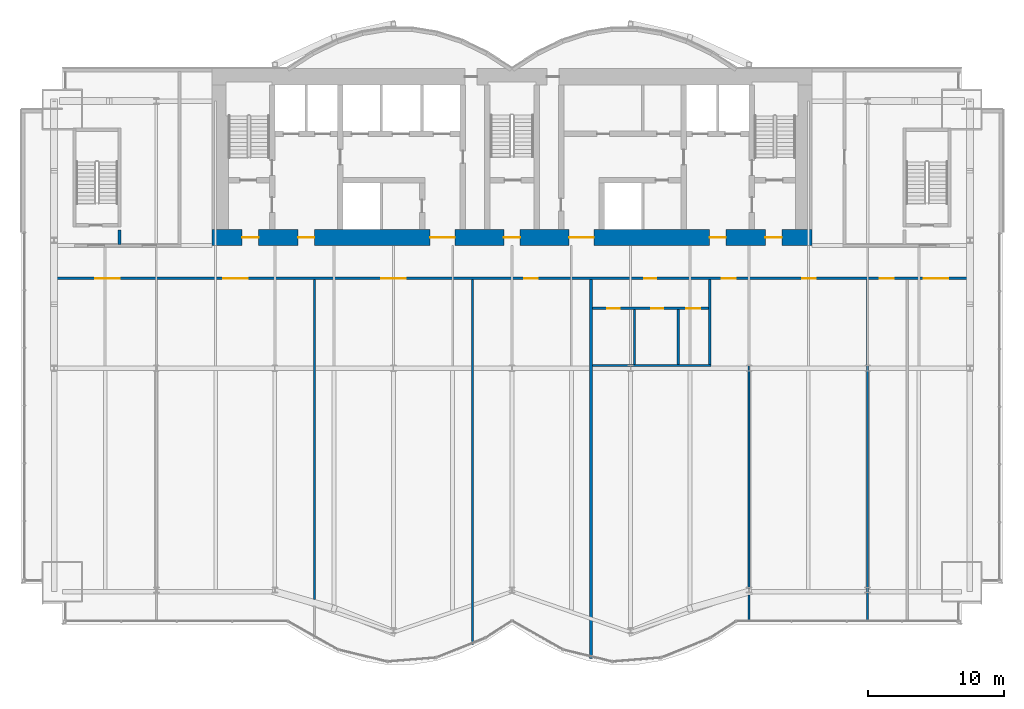
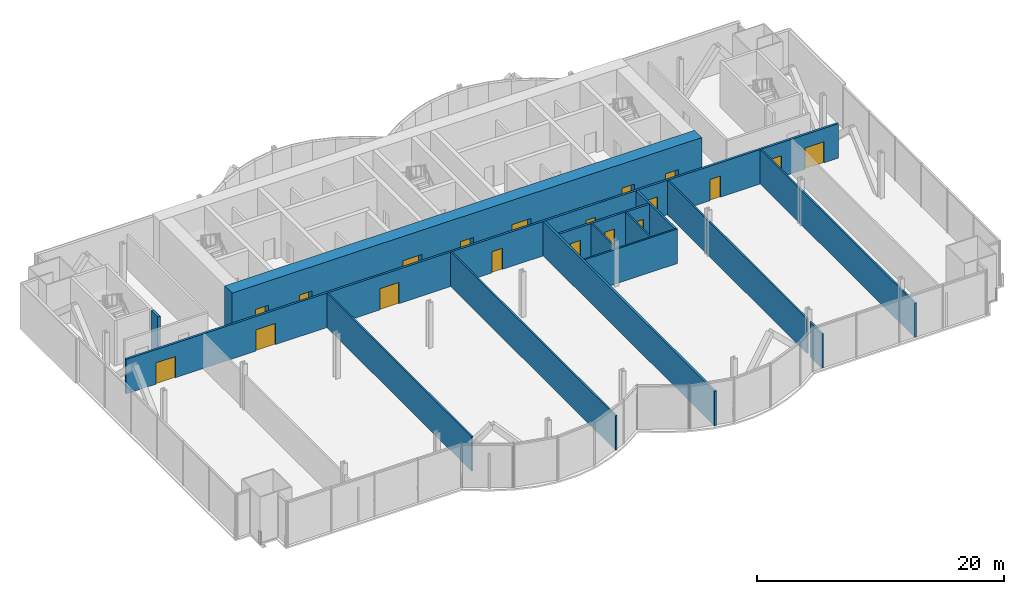
# One storey, part 15 of 21: 19 doors, 14 walls, 19 openings.
"""IFC4 building model written with IfcOpenShell, lengths in metres."""

from ifc_helpers import new_model, si_unit, direction, frame, frame_2d, origin, place, context, subcontext, project, spatial, rectangle, extrude, material, layer, layer_set, type_object, element, fill, save


model = new_model("IFC4")

# Units and contexts
model_context = context("Model", 3, precision=1e-05, world=origin(), true_north=direction((0.0, 1.0)))
body_context = subcontext(model_context, "Body", "Model", "MODEL_VIEW")
ifc_project = project(units=[si_unit("LENGTHUNIT", "METRE"), si_unit("AREAUNIT", "SQUARE_METRE"), si_unit("VOLUMEUNIT", "CUBIC_METRE"), si_unit("PLANEANGLEUNIT", "RADIAN"), si_unit("MASSUNIT", "GRAM", prefix="KILO")], contexts=[model_context])

# Site, building, storey
site_placement = place(None, origin())
site = spatial("IfcSite", under=ifc_project, at=site_placement, CompositionType="ELEMENT")
building_placement = place(site_placement, origin())
building = spatial("IfcBuilding", under=site, at=building_placement, Name="Bicima Exchange Tower", CompositionType="ELEMENT")
storey_placement = place(building_placement, frame((0.0, 0.0, 57.5)))
storey = spatial("IfcBuildingStorey", under=building, at=storey_placement, Name="L11", CompositionType="ELEMENT", Elevation=57.5)

# Wall, openings, doors
ifc_material_1 = material(Name="Gypsum board partition")
ifc_layer_1 = layer(ifc_material_1, 0.199951171875)
ifc_layer_set_1 = layer_set([ifc_layer_1], Name="Gypsum board partition")
wall_type_1 = type_object("IfcWallType", Name="Fire-rated gypsum partition 200 EI60", PredefinedType="PARTITIONING", material=ifc_layer_set_1)
wall_1_placement = place(storey_placement, frame((5.89990234375, -17.60009765625, 0.0), z_axis=(0.0, 0.0, 1.0), x_axis=(1.0, 0.0, 0.0)))
wall_1 = element("IfcWall", 1, at=wall_1_placement, inside=storey, type_object=wall_type_1, Name="partition wall 2", PredefinedType="PARTITIONING", context=body_context, shape_type="SweptSolid", body=[
    extrude(rectangle(XDim=8.5, YDim=0.199951171875, at=frame_2d((4.25, 0.0))), origin(), (0.0, 0.0, 1.0), 3.418212890625),
])
opening_1_placement = place(wall_1_placement, frame((1.10009765625, 0.0, 0.0)))
opening_1 = element("IfcOpeningElement", 2, at=opening_1_placement, cuts=wall_1, Name="Opening L11-012", PredefinedType="OPENING", context=body_context, shape_type="SweptSolid", body=[
    extrude(rectangle(XDim=0.89990234375, YDim=2.10009765625, at=frame_2d((0.449951171875, 1.050048828125))), frame((0.0, 0.11181640625, 0.0), z_axis=(0.0, -1.0, 0.0), x_axis=(1.0, 0.0, 0.0)), (0.0, 0.0, 1.0), 0.223876953125),
])
opening_2_placement = place(wall_1_placement, frame((4.300048828125, 0.0, 0.0)))
opening_2 = element("IfcOpeningElement", 3, at=opening_2_placement, cuts=wall_1, Name="Opening L11-013", PredefinedType="OPENING", context=body_context, shape_type="SweptSolid", body=[
    extrude(rectangle(XDim=0.89990234375, YDim=2.10009765625, at=frame_2d((0.449951171875, 1.050048828125))), frame((0.0, 0.11181640625, 0.0), z_axis=(0.0, -1.0, 0.0), x_axis=(1.0, 0.0, 0.0)), (0.0, 0.0, 1.0), 0.223876953125),
])
opening_3_placement = place(wall_1_placement, frame((6.89990234375, 0.0, 0.0)))
opening_3 = element("IfcOpeningElement", 4, at=opening_3_placement, cuts=wall_1, Name="Opening L11-014", PredefinedType="OPENING", context=body_context, shape_type="SweptSolid", body=[
    extrude(rectangle(XDim=1.0, YDim=2.10009765625, at=frame_2d((0.5, 1.050048828125))), frame((0.0, 0.11181640625, 0.0), z_axis=(0.0, -1.0, 0.0), x_axis=(1.0, 0.0, 0.0)), (0.0, 0.0, 1.0), 0.223876953125),
])
ifc_material_2 = material(Name="Steel fire door leaf", Category="steel")
door_type_1 = type_object("IfcDoorType", Name="Door 1000 swing FD30S", OperationType="SINGLE_SWING_LEFT", PredefinedType="DOOR", material=ifc_material_2)
door_1_placement = place(opening_3_placement, frame((1.0, 0.0, 0.0), z_axis=(0.0, 0.0, 1.0), x_axis=(-1.0, 0.0, 0.0)))
door_1 = element("IfcDoor", 5, at=door_1_placement, inside=storey, type_object=door_type_1, Name="Door", OperationType="SINGLE_SWING_RIGHT", OverallHeight=2.10009765625, OverallWidth=1.0, PredefinedType="DOOR", context=body_context, shape_type="SweptSolid", body=[
    extrude(rectangle(XDim=1.0, YDim=2.10009765625, at=frame_2d((0.5, 1.050048828125))), frame((0.0, 0.02490234375, 0.0), z_axis=(0.0, -1.0, 0.0), x_axis=(1.0, 0.0, 0.0)), (0.0, 0.0, 1.0), 0.050048828125),
])
fill(opening_3, door_1)
door_type_2 = type_object("IfcDoorType", Name="Door 900 swing FD30S", OperationType="SINGLE_SWING_LEFT", PredefinedType="DOOR", material=ifc_material_2)
door_2_placement = place(opening_1_placement, frame((0.89990234375, 0.0, 0.0), z_axis=(0.0, 0.0, 1.0), x_axis=(-1.0, 0.0, 0.0)))
door_2 = element("IfcDoor", 6, at=door_2_placement, inside=storey, type_object=door_type_2, Name="Door", OperationType="SINGLE_SWING_RIGHT", OverallHeight=2.10009765625, OverallWidth=0.89990234375, PredefinedType="DOOR", context=body_context, shape_type="SweptSolid", body=[
    extrude(rectangle(XDim=0.89990234375, YDim=2.10009765625, at=frame_2d((0.449951171875, 1.050048828125))), frame((0.0, 0.02490234375, 0.0), z_axis=(0.0, -1.0, 0.0), x_axis=(1.0, 0.0, 0.0)), (0.0, 0.0, 1.0), 0.050048828125),
])
fill(opening_1, door_2)
door_3_placement = place(opening_2_placement, frame((0.89990234375, 0.0, 0.0), z_axis=(0.0, 0.0, 1.0), x_axis=(-1.0, 0.0, 0.0)))
door_3 = element("IfcDoor", 7, at=door_3_placement, inside=storey, type_object=door_type_2, Name="Door", OperationType="SINGLE_SWING_LEFT", OverallHeight=2.10009765625, OverallWidth=0.89990234375, PredefinedType="DOOR", context=body_context, shape_type="SweptSolid", body=[
    extrude(rectangle(XDim=0.89990234375, YDim=2.10009765625, at=frame_2d((0.449951171875, 1.050048828125))), frame((0.0, 0.02490234375, 0.0), z_axis=(0.0, -1.0, 0.0), x_axis=(1.0, 0.0, 0.0)), (0.0, 0.0, 1.0), 0.050048828125),
])
fill(opening_2, door_3)

wall_2_placement = place(storey_placement, frame((-33.3701171875, -15.39990234375, 0.0), z_axis=(0.0, 0.0, 1.0), x_axis=(1.0, 0.0, 0.0)))
wall_2 = element("IfcWall", 8, at=wall_2_placement, inside=storey, type_object=wall_type_1, Name="partition wall 3", PredefinedType="PARTITIONING", context=body_context, shape_type="SweptSolid", body=[
    extrude(rectangle(XDim=66.740234375, YDim=0.199951171875, at=frame_2d((33.3701171875, 0.0))), origin(), (0.0, 0.0, 1.0), 3.418212890625),
])
opening_4_placement = place(wall_2_placement, frame((2.800048828125, 0.0, 0.0)))
opening_4 = element("IfcOpeningElement", 9, at=opening_4_placement, cuts=wall_2, Name="Opening L11-007", PredefinedType="OPENING", context=body_context, shape_type="SweptSolid", body=[
    extrude(rectangle(XDim=1.800048828125, YDim=2.10009765625, at=frame_2d((0.89990234375, 1.050048828125))), frame((0.0, 0.11181640625, 0.0), z_axis=(0.0, -1.0, 0.0), x_axis=(1.0, 0.0, 0.0)), (0.0, 0.0, 1.0), 0.223876953125),
])
opening_5_placement = place(wall_2_placement, frame((12.169921875, 0.0, 0.0)))
opening_5 = element("IfcOpeningElement", 10, at=opening_5_placement, cuts=wall_2, Name="Opening L11-008", PredefinedType="OPENING", context=body_context, shape_type="SweptSolid", body=[
    extrude(rectangle(XDim=1.800048828125, YDim=2.10009765625, at=frame_2d((0.89990234375, 1.050048828125))), frame((0.0, 0.11181640625, 0.0), z_axis=(0.0, -1.0, 0.0), x_axis=(1.0, 0.0, 0.0)), (0.0, 0.0, 1.0), 0.223876953125),
])
opening_6_placement = place(wall_2_placement, frame((23.77001953125, 0.0, 0.0)))
opening_6 = element("IfcOpeningElement", 11, at=opening_6_placement, cuts=wall_2, Name="Opening L11-009", PredefinedType="OPENING", context=body_context, shape_type="SweptSolid", body=[
    extrude(rectangle(XDim=1.800048828125, YDim=2.10009765625, at=frame_2d((0.89990234375, 1.050048828125))), frame((0.0, 0.11181640625, 0.0), z_axis=(0.0, -1.0, 0.0), x_axis=(1.0, 0.0, 0.0)), (0.0, 0.0, 1.0), 0.223876953125),
])
opening_7_placement = place(wall_2_placement, frame((34.27001953125, 0.0, 0.0)))
opening_7 = element("IfcOpeningElement", 12, at=opening_7_placement, cuts=wall_2, Name="Opening L11-010", PredefinedType="OPENING", context=body_context, shape_type="SweptSolid", body=[
    extrude(rectangle(XDim=1.0, YDim=2.10009765625, at=frame_2d((0.5, 1.050048828125))), frame((0.0, 0.11181640625, 0.0), z_axis=(0.0, -1.0, 0.0), x_axis=(1.0, 0.0, 0.0)), (0.0, 0.0, 1.0), 0.223876953125),
])
opening_8_placement = place(wall_2_placement, frame((43.070068359375, 0.0, 0.0)))
opening_8 = element("IfcOpeningElement", 13, at=opening_8_placement, cuts=wall_2, Name="Opening L11-011", PredefinedType="OPENING", context=body_context, shape_type="SweptSolid", body=[
    extrude(rectangle(XDim=0.89990234375, YDim=2.10009765625, at=frame_2d((0.449951171875, 1.050048828125))), frame((0.0, 0.11181640625, 0.0), z_axis=(0.0, -1.0, 0.0), x_axis=(1.0, 0.0, 0.0)), (0.0, 0.0, 1.0), 0.223876953125),
])
opening_9_placement = place(wall_2_placement, frame((48.77001953125, 0.0, 0.0)))
opening_9 = element("IfcOpeningElement", 14, at=opening_9_placement, cuts=wall_2, Name="Opening L11-015", PredefinedType="OPENING", context=body_context, shape_type="SweptSolid", body=[
    extrude(rectangle(XDim=1.0, YDim=2.10009765625, at=frame_2d((0.5, 1.050048828125))), frame((0.0, 0.11181640625, 0.0), z_axis=(0.0, -1.0, 0.0), x_axis=(1.0, 0.0, 0.0)), (0.0, 0.0, 1.0), 0.223876953125),
])
opening_10_placement = place(wall_2_placement, frame((54.669921875, 0.0, 0.0)))
opening_10 = element("IfcOpeningElement", 15, at=opening_10_placement, cuts=wall_2, Name="Opening L11-016", PredefinedType="OPENING", context=body_context, shape_type="SweptSolid", body=[
    extrude(rectangle(XDim=1.0, YDim=2.10009765625, at=frame_2d((0.5, 1.050048828125))), frame((0.0, 0.11181640625, 0.0), z_axis=(0.0, -1.0, 0.0), x_axis=(1.0, 0.0, 0.0)), (0.0, 0.0, 1.0), 0.223876953125),
])
opening_11_placement = place(wall_2_placement, frame((60.3701171875, 0.0, 0.0)))
opening_11 = element("IfcOpeningElement", 16, at=opening_11_placement, cuts=wall_2, Name="Opening L11-017", PredefinedType="OPENING", context=body_context, shape_type="SweptSolid", body=[
    extrude(rectangle(XDim=1.0, YDim=2.10009765625, at=frame_2d((0.5, 1.050048828125))), frame((0.0, 0.11181640625, 0.0), z_axis=(0.0, -1.0, 0.0), x_axis=(1.0, 0.0, 0.0)), (0.0, 0.0, 1.0), 0.223876953125),
])
opening_12_placement = place(wall_2_placement, frame((63.570068359375, 0.0, 0.0)))
opening_12 = element("IfcOpeningElement", 17, at=opening_12_placement, cuts=wall_2, Name="Opening L11-018", PredefinedType="OPENING", context=body_context, shape_type="SweptSolid", body=[
    extrude(rectangle(XDim=1.800048828125, YDim=2.10009765625, at=frame_2d((0.89990234375, 1.050048828125))), frame((0.0, 0.11181640625, 0.0), z_axis=(0.0, -1.0, 0.0), x_axis=(1.0, 0.0, 0.0)), (0.0, 0.0, 1.0), 0.223876953125),
])
door_4_placement = place(opening_7_placement, frame((1.0, 0.0, 0.0), z_axis=(0.0, 0.0, 1.0), x_axis=(-1.0, 0.0, 0.0)))
door_4 = element("IfcDoor", 18, at=door_4_placement, inside=storey, type_object=door_type_1, Name="Door", OperationType="SINGLE_SWING_LEFT", OverallHeight=2.10009765625, OverallWidth=1.0, PredefinedType="DOOR", context=body_context, shape_type="SweptSolid", body=[
    extrude(rectangle(XDim=1.0, YDim=2.10009765625, at=frame_2d((0.5, 1.050048828125))), frame((0.0, 0.02490234375, 0.0), z_axis=(0.0, -1.0, 0.0), x_axis=(1.0, 0.0, 0.0)), (0.0, 0.0, 1.0), 0.050048828125),
])
fill(opening_7, door_4)
door_5_placement = place(opening_9_placement, frame((1.0, 0.0, 0.0), z_axis=(0.0, 0.0, 1.0), x_axis=(-1.0, 0.0, 0.0)))
door_5 = element("IfcDoor", 19, at=door_5_placement, inside=storey, type_object=door_type_1, Name="Door", OperationType="SINGLE_SWING_RIGHT", OverallHeight=2.10009765625, OverallWidth=1.0, PredefinedType="DOOR", context=body_context, shape_type="SweptSolid", body=[
    extrude(rectangle(XDim=1.0, YDim=2.10009765625, at=frame_2d((0.5, 1.050048828125))), frame((0.0, 0.02490234375, 0.0), z_axis=(0.0, -1.0, 0.0), x_axis=(1.0, 0.0, 0.0)), (0.0, 0.0, 1.0), 0.050048828125),
])
fill(opening_9, door_5)
door_6_placement = place(opening_10_placement, frame((1.0, 0.0, 0.0), z_axis=(0.0, 0.0, 1.0), x_axis=(-1.0, 0.0, 0.0)))
door_6 = element("IfcDoor", 20, at=door_6_placement, inside=storey, type_object=door_type_1, Name="Door", OperationType="SINGLE_SWING_LEFT", OverallHeight=2.10009765625, OverallWidth=1.0, PredefinedType="DOOR", context=body_context, shape_type="SweptSolid", body=[
    extrude(rectangle(XDim=1.0, YDim=2.10009765625, at=frame_2d((0.5, 1.050048828125))), frame((0.0, 0.02490234375, 0.0), z_axis=(0.0, -1.0, 0.0), x_axis=(1.0, 0.0, 0.0)), (0.0, 0.0, 1.0), 0.050048828125),
])
fill(opening_10, door_6)
door_7_placement = place(opening_11_placement, frame((1.0, 0.0, 0.0), z_axis=(0.0, 0.0, 1.0), x_axis=(-1.0, 0.0, 0.0)))
door_7 = element("IfcDoor", 21, at=door_7_placement, inside=storey, type_object=door_type_1, Name="Door", OperationType="SINGLE_SWING_RIGHT", OverallHeight=2.10009765625, OverallWidth=1.0, PredefinedType="DOOR", context=body_context, shape_type="SweptSolid", body=[
    extrude(rectangle(XDim=1.0, YDim=2.10009765625, at=frame_2d((0.5, 1.050048828125))), frame((0.0, 0.02490234375, 0.0), z_axis=(0.0, -1.0, 0.0), x_axis=(1.0, 0.0, 0.0)), (0.0, 0.0, 1.0), 0.050048828125),
])
fill(opening_11, door_7)
door_type_3 = type_object("IfcDoorType", Name="Door 1800 double swing FD30S", OperationType="DOUBLE_DOOR_SINGLE_SWING", PredefinedType="DOOR", material=ifc_material_2)
door_8_placement = place(opening_4_placement, origin())
door_8 = element("IfcDoor", 22, at=door_8_placement, inside=storey, type_object=door_type_3, Name="Door", OperationType="SINGLE_SWING_LEFT", OverallHeight=2.10009765625, OverallWidth=1.800048828125, PredefinedType="DOOR", context=body_context, shape_type="SweptSolid", body=[
    extrude(rectangle(XDim=1.800048828125, YDim=2.10009765625, at=frame_2d((0.89990234375, 1.050048828125))), frame((0.0, 0.02490234375, 0.0), z_axis=(0.0, -1.0, 0.0), x_axis=(1.0, 0.0, 0.0)), (0.0, 0.0, 1.0), 0.050048828125),
])
fill(opening_4, door_8)
door_9_placement = place(opening_5_placement, origin())
door_9 = element("IfcDoor", 23, at=door_9_placement, inside=storey, type_object=door_type_3, Name="Door", OperationType="SINGLE_SWING_LEFT", OverallHeight=2.10009765625, OverallWidth=1.800048828125, PredefinedType="DOOR", context=body_context, shape_type="SweptSolid", body=[
    extrude(rectangle(XDim=1.800048828125, YDim=2.10009765625, at=frame_2d((0.89990234375, 1.050048828125))), frame((0.0, 0.02490234375, 0.0), z_axis=(0.0, -1.0, 0.0), x_axis=(1.0, 0.0, 0.0)), (0.0, 0.0, 1.0), 0.050048828125),
])
fill(opening_5, door_9)
door_10_placement = place(opening_6_placement, origin())
door_10 = element("IfcDoor", 24, at=door_10_placement, inside=storey, type_object=door_type_3, Name="Door", OperationType="SINGLE_SWING_LEFT", OverallHeight=2.10009765625, OverallWidth=1.800048828125, PredefinedType="DOOR", context=body_context, shape_type="SweptSolid", body=[
    extrude(rectangle(XDim=1.800048828125, YDim=2.10009765625, at=frame_2d((0.89990234375, 1.050048828125))), frame((0.0, 0.02490234375, 0.0), z_axis=(0.0, -1.0, 0.0), x_axis=(1.0, 0.0, 0.0)), (0.0, 0.0, 1.0), 0.050048828125),
])
fill(opening_6, door_10)
door_11_placement = place(opening_12_placement, origin())
door_11 = element("IfcDoor", 25, at=door_11_placement, inside=storey, type_object=door_type_3, Name="Door", OperationType="SINGLE_SWING_LEFT", OverallHeight=2.10009765625, OverallWidth=1.800048828125, PredefinedType="DOOR", context=body_context, shape_type="SweptSolid", body=[
    extrude(rectangle(XDim=1.800048828125, YDim=2.10009765625, at=frame_2d((0.89990234375, 1.050048828125))), frame((0.0, 0.02490234375, 0.0), z_axis=(0.0, -1.0, 0.0), x_axis=(1.0, 0.0, 0.0)), (0.0, 0.0, 1.0), 0.050048828125),
])
fill(opening_12, door_11)
door_12_placement = place(opening_8_placement, frame((0.89990234375, 0.0, 0.0), z_axis=(0.0, 0.0, 1.0), x_axis=(-1.0, 0.0, 0.0)))
door_12 = element("IfcDoor", 26, at=door_12_placement, inside=storey, type_object=door_type_2, Name="Door", OperationType="SINGLE_SWING_RIGHT", OverallHeight=2.10009765625, OverallWidth=0.89990234375, PredefinedType="DOOR", context=body_context, shape_type="SweptSolid", body=[
    extrude(rectangle(XDim=0.89990234375, YDim=2.10009765625, at=frame_2d((0.449951171875, 1.050048828125))), frame((0.0, 0.02490234375, 0.0), z_axis=(0.0, -1.0, 0.0), x_axis=(1.0, 0.0, 0.0)), (0.0, 0.0, 1.0), 0.050048828125),
])
fill(opening_8, door_12)

# Walls
wall_3_placement = place(storey_placement, frame((5.800048828125, -43.280029296875, 0.0), z_axis=(0.0, 0.0, 1.0), x_axis=(0.0, 1.0, 0.0)))
element("IfcWall", 27, at=wall_3_placement, inside=storey, type_object=wall_type_1, Name="partition wall 19", PredefinedType="PARTITIONING", context=body_context, shape_type="SweptSolid", body=[
    extrude(rectangle(XDim=27.780029296875, YDim=0.199951171875, at=frame_2d((13.89013671875, 0.0))), origin(), (0.0, 0.0, 1.0), 3.418212890625),
])
wall_4_placement = place(storey_placement, frame((14.5, -21.72509765625, 0.0), z_axis=(0.0, 0.0, 1.0), x_axis=(0.0, 1.0, 0.0)))
element("IfcWall", 28, at=wall_4_placement, inside=storey, type_object=wall_type_1, Name="partition wall 22", PredefinedType="PARTITIONING", context=body_context, shape_type="SweptSolid", body=[
    extrude(rectangle(XDim=6.22509765625, YDim=0.199951171875, at=frame_2d((3.112548828125, 0.0))), origin(), (0.0, 0.0, 1.0), 3.418212890625),
])
ifc_layer_2 = layer(ifc_material_1, 0.14990234375)
ifc_layer_set_2 = layer_set([ifc_layer_2], Name="Gypsum board partition")
wall_type_2 = type_object("IfcWallType", Name="Gypsum partition 150", PredefinedType="PARTITIONING", material=ifc_layer_set_2)
wall_5_placement = place(storey_placement, frame((5.89990234375, -21.800048828125, 0.0), z_axis=(0.0, 0.0, 1.0), x_axis=(1.0, 0.0, 0.0)))
element("IfcWall", 29, at=wall_5_placement, inside=storey, type_object=wall_type_2, Name="partition wall 1", PredefinedType="PARTITIONING", context=body_context, shape_type="SweptSolid", body=[
    extrude(rectangle(XDim=8.7001953125, YDim=0.14990234375, at=frame_2d((4.35009765625, 0.0))), origin(), (0.0, 0.0, 1.0), 3.418212890625),
])
wall_6_placement = place(storey_placement, frame((-14.5, -38.97705078125, 0.0), z_axis=(0.0, 0.0, 1.0), x_axis=(0.0, 1.0, 0.0)))
element("IfcWall", 30, at=wall_6_placement, inside=storey, type_object=wall_type_2, Name="partition wall 17", PredefinedType="PARTITIONING", context=body_context, shape_type="SweptSolid", body=[
    extrude(rectangle(XDim=23.47705078125, YDim=0.14990234375, at=frame_2d((11.738525390625, 0.0))), origin(), (0.0, 0.0, 1.0), 3.418212890625),
])
wall_7_placement = place(storey_placement, frame((-2.89990234375, -42.25, 0.0), z_axis=(0.0, 0.0, 1.0), x_axis=(0.0, 1.0, 0.0)))
element("IfcWall", 31, at=wall_7_placement, inside=storey, type_object=wall_type_2, Name="partition wall 18", PredefinedType="PARTITIONING", context=body_context, shape_type="SweptSolid", body=[
    extrude(rectangle(XDim=26.75, YDim=0.14990234375, at=frame_2d((13.375, 0.0))), origin(), (0.0, 0.0, 1.0), 3.418212890625),
])
for number, where, z_axis, x_axis, name in (
    (32, (9.0, -21.72509765625, 0.0), (0.0, 0.0, 1.0), (0.0, 1.0, 0.0), "partition wall 20"),
    (33, (12.199951171875, -21.72509765625, 0.0), (0.0, 0.0, 1.0), (0.0, 1.0, 0.0), "partition wall 21"),
):
    element("IfcWall", number, at=place(storey_placement, frame(where, z_axis=z_axis, x_axis=x_axis)), inside=storey, type_object=wall_type_2, Name=name, PredefinedType="PARTITIONING", context=body_context, shape_type="SweptSolid", body=[
        extrude(rectangle(XDim=4.025146484375, YDim=0.14990234375, at=frame_2d((2.0126953125, 0.0))), origin(), (0.0, 0.0, 1.0), 3.418212890625),
    ])
wall_8_placement = place(storey_placement, frame((17.39990234375, -40.570068359375, 0.0), z_axis=(0.0, 0.0, 1.0), x_axis=(0.0, 1.0, 0.0)))
element("IfcWall", 34, at=wall_8_placement, inside=storey, type_object=wall_type_2, Name="partition wall 23", PredefinedType="PARTITIONING", context=body_context, shape_type="SweptSolid", body=[
    extrude(rectangle(XDim=1.952880859375, YDim=0.14990234375, at=frame_2d((0.9765625, 0.0))), origin(), (0.0, 0.0, 1.0), 3.418212890625),
])
wall_9_placement = place(storey_placement, frame((17.39990234375, -38.142578125, 0.0), z_axis=(0.0, 0.0, 1.0), x_axis=(0.0, 1.0, 0.0)))
element("IfcWall", 35, at=wall_9_placement, inside=storey, type_object=wall_type_2, Name="partition wall 24", PredefinedType="PARTITIONING", context=body_context, shape_type="SweptSolid", body=[
    extrude(rectangle(XDim=22.642578125, YDim=0.14990234375, at=frame_2d((11.3212890625, 0.0))), origin(), (0.0, 0.0, 1.0), 3.418212890625),
])
wall_10_placement = place(storey_placement, frame((26.10009765625, -40.570068359375, 0.0), z_axis=(0.0, 0.0, 1.0), x_axis=(0.0, 1.0, 0.0)))
element("IfcWall", 36, at=wall_10_placement, inside=storey, type_object=wall_type_2, Name="partition wall 26", PredefinedType="PARTITIONING", context=body_context, shape_type="SweptSolid", body=[
    extrude(rectangle(XDim=25.070068359375, YDim=0.14990234375, at=frame_2d((12.53515625, 0.0))), origin(), (0.0, 0.0, 1.0), 3.418212890625),
])

# Wall, openings, doors
ifc_material_3 = material(Name="Concrete C60/75", Category="concrete")
ifc_layer_3 = layer(ifc_material_3, 1.199951171875)
ifc_layer_set_3 = layer_set([ifc_layer_3], Name="Concrete C60/75")
wall_type_3 = type_object("IfcWallType", Name="RC core wall 1200 C60/75", PredefinedType="SHEAR", material=ifc_layer_set_3)
wall_11_placement = place(storey_placement, frame((-22.0, -12.39990234375, 0.0), z_axis=(0.0, 0.0, 1.0), x_axis=(1.0, 0.0, 0.0)))
wall_11 = element("IfcWall", 37, at=wall_11_placement, inside=storey, type_object=wall_type_3, Name="Core wall south", PredefinedType="SHEAR", context=body_context, shape_type="SweptSolid", body=[
    extrude(rectangle(XDim=44.0, YDim=1.199951171875, at=frame_2d((22.0, 0.0))), origin(), (0.0, 0.0, 1.0), 4.5),
])
opening_13_placement = place(wall_11_placement, frame((2.199951171875, 0.0, 0.0)))
opening_13 = element("IfcOpeningElement", 38, at=opening_13_placement, cuts=wall_11, Name="Opening L11-C18", PredefinedType="OPENING", context=body_context, shape_type="SweptSolid", body=[
    extrude(rectangle(XDim=1.199951171875, YDim=2.10009765625, at=frame_2d((0.60009765625, 1.050048828125))), frame((0.0, 0.61181640625, 0.0), z_axis=(0.0, -1.0, 0.0), x_axis=(1.0, 0.0, 0.0)), (0.0, 0.0, 1.0), 1.223876953125),
])
opening_14_placement = place(wall_11_placement, frame((21.39990234375, 0.0, 0.0)))
opening_14 = element("IfcOpeningElement", 39, at=opening_14_placement, cuts=wall_11, Name="Opening L11-C19", PredefinedType="OPENING", context=body_context, shape_type="SweptSolid", body=[
    extrude(rectangle(XDim=1.199951171875, YDim=2.10009765625, at=frame_2d((0.60009765625, 1.050048828125))), frame((0.0, 0.61181640625, 0.0), z_axis=(0.0, -1.0, 0.0), x_axis=(1.0, 0.0, 0.0)), (0.0, 0.0, 1.0), 1.223876953125),
])
opening_15_placement = place(wall_11_placement, frame((40.60009765625, 0.0, 0.0)))
opening_15 = element("IfcOpeningElement", 40, at=opening_15_placement, cuts=wall_11, Name="Opening L11-C20", PredefinedType="OPENING", context=body_context, shape_type="SweptSolid", body=[
    extrude(rectangle(XDim=1.199951171875, YDim=2.10009765625, at=frame_2d((0.60009765625, 1.050048828125))), frame((0.0, 0.61181640625, 0.0), z_axis=(0.0, -1.0, 0.0), x_axis=(1.0, 0.0, 0.0)), (0.0, 0.0, 1.0), 1.223876953125),
])
opening_16_placement = place(wall_11_placement, frame((16.0, 0.0, 0.0)))
opening_16 = element("IfcOpeningElement", 41, at=opening_16_placement, cuts=wall_11, Name="Opening L11-C21", PredefinedType="OPENING", context=body_context, shape_type="SweptSolid", body=[
    extrude(rectangle(XDim=1.800048828125, YDim=2.10009765625, at=frame_2d((0.89990234375, 1.050048828125))), frame((0.0, 0.61181640625, 0.0), z_axis=(0.0, -1.0, 0.0), x_axis=(1.0, 0.0, 0.0)), (0.0, 0.0, 1.0), 1.223876953125),
])
opening_17_placement = place(wall_11_placement, frame((6.300048828125, 0.0, 0.0)))
opening_17 = element("IfcOpeningElement", 42, at=opening_17_placement, cuts=wall_11, Name="Opening L11-C22", PredefinedType="OPENING", context=body_context, shape_type="SweptSolid", body=[
    extrude(rectangle(XDim=1.199951171875, YDim=2.10009765625, at=frame_2d((0.60009765625, 1.050048828125))), frame((0.0, 0.61181640625, 0.0), z_axis=(0.0, -1.0, 0.0), x_axis=(1.0, 0.0, 0.0)), (0.0, 0.0, 1.0), 1.223876953125),
])
opening_18_placement = place(wall_11_placement, frame((26.199951171875, 0.0, 0.0)))
opening_18 = element("IfcOpeningElement", 43, at=opening_18_placement, cuts=wall_11, Name="Opening L11-C23", PredefinedType="OPENING", context=body_context, shape_type="SweptSolid", body=[
    extrude(rectangle(XDim=1.800048828125, YDim=2.10009765625, at=frame_2d((0.89990234375, 1.050048828125))), frame((0.0, 0.61181640625, 0.0), z_axis=(0.0, -1.0, 0.0), x_axis=(1.0, 0.0, 0.0)), (0.0, 0.0, 1.0), 1.223876953125),
])
opening_19_placement = place(wall_11_placement, frame((36.5, 0.0, 0.0)))
opening_19 = element("IfcOpeningElement", 44, at=opening_19_placement, cuts=wall_11, Name="Opening L11-C24", PredefinedType="OPENING", context=body_context, shape_type="SweptSolid", body=[
    extrude(rectangle(XDim=1.199951171875, YDim=2.10009765625, at=frame_2d((0.60009765625, 1.050048828125))), frame((0.0, 0.61181640625, 0.0), z_axis=(0.0, -1.0, 0.0), x_axis=(1.0, 0.0, 0.0)), (0.0, 0.0, 1.0), 1.223876953125),
])
door_type_4 = type_object("IfcDoorType", Name="Door 1200 swing FD60S", OperationType="SINGLE_SWING_LEFT", PredefinedType="DOOR", material=ifc_material_2)
door_13_placement = place(opening_13_placement, frame((1.199951171875, 0.0, 0.0), z_axis=(0.0, 0.0, 1.0), x_axis=(-1.0, 0.0, 0.0)))
door_13 = element("IfcDoor", 45, at=door_13_placement, inside=storey, type_object=door_type_4, Name="Core door", OperationType="SINGLE_SWING_RIGHT", OverallHeight=2.10009765625, OverallWidth=1.199951171875, PredefinedType="DOOR", context=body_context, shape_type="SweptSolid", body=[
    extrude(rectangle(XDim=1.199951171875, YDim=2.10009765625, at=frame_2d((0.60009765625, 1.050048828125))), frame((0.0, 0.02490234375, 0.0), z_axis=(0.0, -1.0, 0.0), x_axis=(1.0, 0.0, 0.0)), (0.0, 0.0, 1.0), 0.050048828125),
])
fill(opening_13, door_13)
door_14_placement = place(opening_14_placement, frame((1.199951171875, 0.0, 0.0), z_axis=(0.0, 0.0, 1.0), x_axis=(-1.0, 0.0, 0.0)))
door_14 = element("IfcDoor", 46, at=door_14_placement, inside=storey, type_object=door_type_4, Name="Core door", OperationType="SINGLE_SWING_RIGHT", OverallHeight=2.10009765625, OverallWidth=1.199951171875, PredefinedType="DOOR", context=body_context, shape_type="SweptSolid", body=[
    extrude(rectangle(XDim=1.199951171875, YDim=2.10009765625, at=frame_2d((0.60009765625, 1.050048828125))), frame((0.0, 0.02490234375, 0.0), z_axis=(0.0, -1.0, 0.0), x_axis=(1.0, 0.0, 0.0)), (0.0, 0.0, 1.0), 0.050048828125),
])
fill(opening_14, door_14)
door_15_placement = place(opening_15_placement, frame((1.199951171875, 0.0, 0.0), z_axis=(0.0, 0.0, 1.0), x_axis=(-1.0, 0.0, 0.0)))
door_15 = element("IfcDoor", 47, at=door_15_placement, inside=storey, type_object=door_type_4, Name="Core door", OperationType="SINGLE_SWING_RIGHT", OverallHeight=2.10009765625, OverallWidth=1.199951171875, PredefinedType="DOOR", context=body_context, shape_type="SweptSolid", body=[
    extrude(rectangle(XDim=1.199951171875, YDim=2.10009765625, at=frame_2d((0.60009765625, 1.050048828125))), frame((0.0, 0.02490234375, 0.0), z_axis=(0.0, -1.0, 0.0), x_axis=(1.0, 0.0, 0.0)), (0.0, 0.0, 1.0), 0.050048828125),
])
fill(opening_15, door_15)
door_16_placement = place(opening_17_placement, frame((1.199951171875, 0.0, 0.0), z_axis=(0.0, 0.0, 1.0), x_axis=(-1.0, 0.0, 0.0)))
door_16 = element("IfcDoor", 48, at=door_16_placement, inside=storey, type_object=door_type_4, Name="Core door", OperationType="SINGLE_SWING_RIGHT", OverallHeight=2.10009765625, OverallWidth=1.199951171875, PredefinedType="DOOR", context=body_context, shape_type="SweptSolid", body=[
    extrude(rectangle(XDim=1.199951171875, YDim=2.10009765625, at=frame_2d((0.60009765625, 1.050048828125))), frame((0.0, 0.02490234375, 0.0), z_axis=(0.0, -1.0, 0.0), x_axis=(1.0, 0.0, 0.0)), (0.0, 0.0, 1.0), 0.050048828125),
])
fill(opening_17, door_16)
door_17_placement = place(opening_19_placement, frame((1.199951171875, 0.0, 0.0), z_axis=(0.0, 0.0, 1.0), x_axis=(-1.0, 0.0, 0.0)))
door_17 = element("IfcDoor", 49, at=door_17_placement, inside=storey, type_object=door_type_4, Name="Core door", OperationType="SINGLE_SWING_RIGHT", OverallHeight=2.10009765625, OverallWidth=1.199951171875, PredefinedType="DOOR", context=body_context, shape_type="SweptSolid", body=[
    extrude(rectangle(XDim=1.199951171875, YDim=2.10009765625, at=frame_2d((0.60009765625, 1.050048828125))), frame((0.0, 0.02490234375, 0.0), z_axis=(0.0, -1.0, 0.0), x_axis=(1.0, 0.0, 0.0)), (0.0, 0.0, 1.0), 0.050048828125),
])
fill(opening_19, door_17)
door_18_placement = place(opening_16_placement, origin())
door_18 = element("IfcDoor", 50, at=door_18_placement, inside=storey, type_object=door_type_3, Name="Core door", OperationType="SINGLE_SWING_LEFT", OverallHeight=2.10009765625, OverallWidth=1.800048828125, PredefinedType="DOOR", context=body_context, shape_type="SweptSolid", body=[
    extrude(rectangle(XDim=1.800048828125, YDim=2.10009765625, at=frame_2d((0.89990234375, 1.050048828125))), frame((0.0, 0.02490234375, 0.0), z_axis=(0.0, -1.0, 0.0), x_axis=(1.0, 0.0, 0.0)), (0.0, 0.0, 1.0), 0.050048828125),
])
fill(opening_16, door_18)
door_19_placement = place(opening_18_placement, origin())
door_19 = element("IfcDoor", 51, at=door_19_placement, inside=storey, type_object=door_type_3, Name="Core door", OperationType="SINGLE_SWING_LEFT", OverallHeight=2.10009765625, OverallWidth=1.800048828125, PredefinedType="DOOR", context=body_context, shape_type="SweptSolid", body=[
    extrude(rectangle(XDim=1.800048828125, YDim=2.10009765625, at=frame_2d((0.89990234375, 1.050048828125))), frame((0.0, 0.02490234375, 0.0), z_axis=(0.0, -1.0, 0.0), x_axis=(1.0, 0.0, 0.0)), (0.0, 0.0, 1.0), 0.050048828125),
])
fill(opening_18, door_19)

# Wall
ifc_material_4 = material(Name="Concrete C50/60", Category="concrete")
ifc_layer_4 = layer(ifc_material_4, 0.25)
ifc_layer_set_4 = layer_set([ifc_layer_4], Name="Concrete C50/60")
wall_type_4 = type_object("IfcWallType", Name="RC core wall 250 C50/60", PredefinedType="SHEAR", material=ifc_layer_set_4)
wall_12_placement = place(storey_placement, frame((-28.800048828125, -12.89990234375, 0.0), z_axis=(0.0, 0.0, 1.0), x_axis=(0.0, 1.0, 0.0)))
element("IfcWall", 52, at=wall_12_placement, inside=storey, type_object=wall_type_4, Name="stair wall 13", PredefinedType="SHEAR", context=body_context, shape_type="SweptSolid", body=[
    extrude(rectangle(XDim=1.0498046875, YDim=0.25, at=frame_2d((0.52490234375, 0.0))), origin(), (0.0, 0.0, 1.0), 4.5),
])

save(model, "model.ifc")
